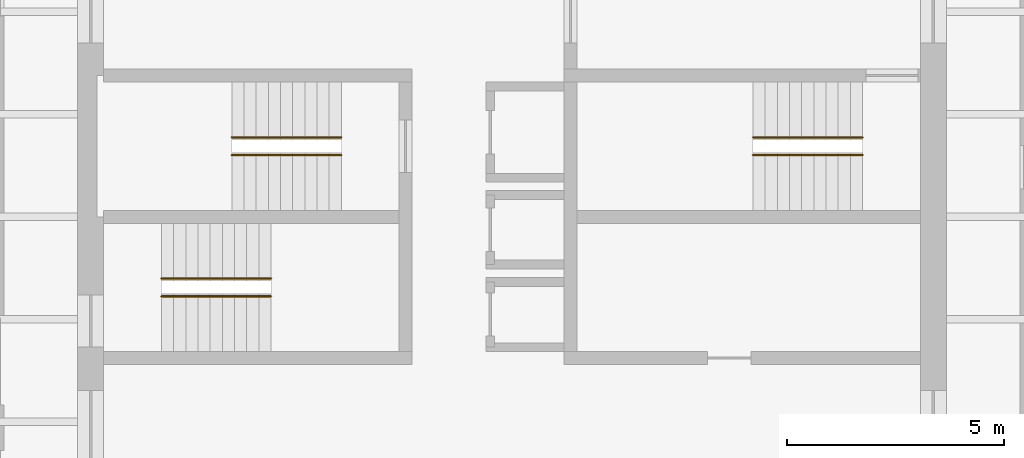
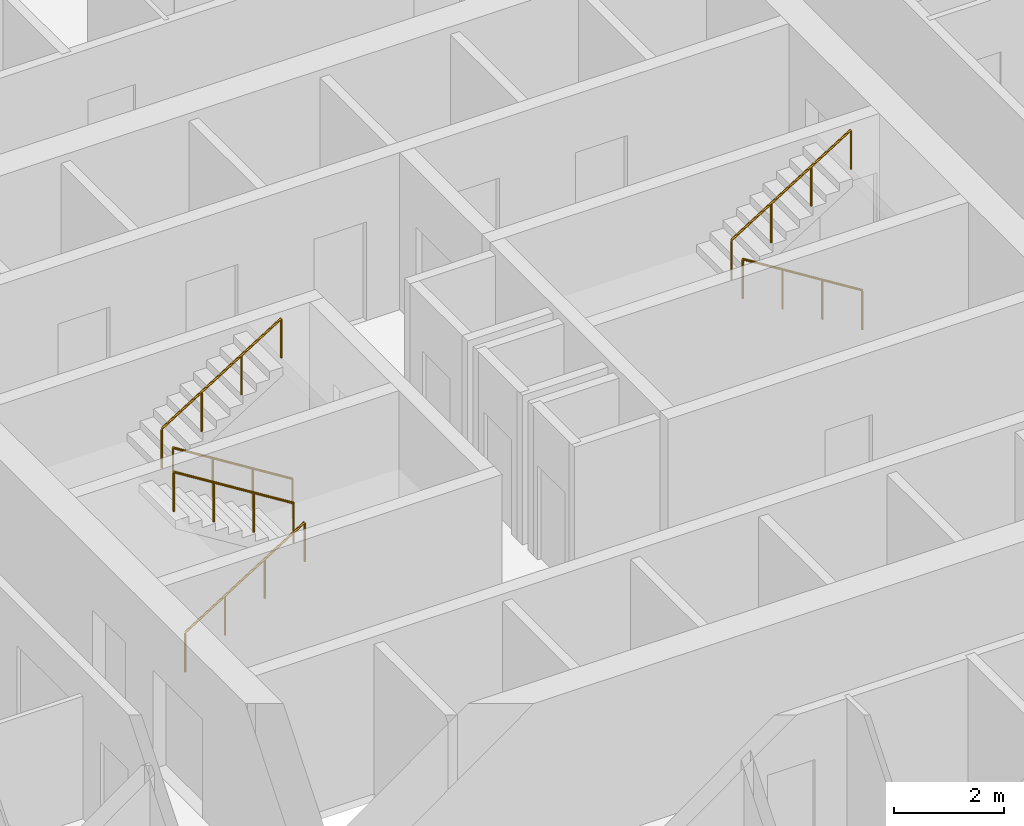
# One storey, part 9 of 9: 6 railings.
"""IFC4 building model written with IfcOpenShell, lengths in metres."""

from ifc_helpers import new_model, si_unit, direction, frame, origin, origin_2d, place, context, subcontext, project, spatial, circle, extrude, material, type_object, element, save


model = new_model("IFC4")

# Units and contexts
model_context = context("Model", 3, precision=1e-05, world=origin(), true_north=direction((0.0, 1.0)))
body_context = subcontext(model_context, "Body", "Model", "MODEL_VIEW")
ifc_project = project(units=[si_unit("LENGTHUNIT", "METRE"), si_unit("AREAUNIT", "SQUARE_METRE"), si_unit("VOLUMEUNIT", "CUBIC_METRE"), si_unit("PLANEANGLEUNIT", "RADIAN"), si_unit("MASSUNIT", "GRAM", prefix="KILO")], contexts=[model_context])

# Site, building, storey
site_placement = place(None, origin())
site = spatial("IfcSite", under=ifc_project, at=site_placement, CompositionType="ELEMENT")
building_placement = place(site_placement, origin())
building = spatial("IfcBuilding", under=site, at=building_placement, Name="Turquesa Mirador Hotel Tower", CompositionType="ELEMENT")
storey_placement = place(building_placement, frame((0.0, 0.0, 100.39990234375)))
storey = spatial("IfcBuildingStorey", under=building, at=storey_placement, Name="L26", CompositionType="ELEMENT", Elevation=100.39990234375)

# Railings
ifc_material = material(Name="Painted steel handrail", Category="steel")
railing_type = type_object("IfcRailingType", Name="HANDRAIL 900 STEEL", PredefinedType="HANDRAIL", material=ifc_material)
railing_1_placement = place(storey_placement, frame((51.070068359375, 46.419921875, 0.175048828125)))
element("IfcRailing", 1, at=railing_1_placement, inside=storey, type_object=railing_type, Name="Handrail ST1", PredefinedType="HANDRAIL", context=body_context, shape_type="SweptSolid", body=[
    extrude(circle(Radius=0.02392578125, at=origin_2d()), frame((0.0, 0.0, 0.8759765625), z_axis=(-0.848007534815, 0.0, 0.529984170421), x_axis=(0.0, -1.0, 0.0)), (0.0, 0.0, 1.0), 2.9716796875),
    extrude(circle(Radius=0.02099609375, at=origin_2d()), origin(), (0.0, 0.0, 1.0), 0.851806640625),
    extrude(circle(Radius=0.02099609375, at=origin_2d()), frame((-0.840087890625, 0.0, 0.52490234375)), (0.0, 0.0, 1.0), 0.851806640625),
    extrude(circle(Radius=0.02099609375, at=origin_2d()), frame((-1.679931640625, 0.0, 1.050048828125)), (0.0, 0.0, 1.0), 0.851806640625),
    extrude(circle(Radius=0.02099609375, at=origin_2d()), frame((-2.52001953125, 0.0, 1.574951171875)), (0.0, 0.0, 1.0), 0.851806640625),
])
for number, where, name in (
    (2, (48.550048828125, 46.830078125, 1.925048828125), "Handrail ST1"),
    (3, (46.929931640625, 43.169921875, 0.175048828125), "Handrail ST2"),
):
    element("IfcRailing", number, at=place(storey_placement, frame(where)), inside=storey, type_object=railing_type, Name=name, PredefinedType="HANDRAIL", context=body_context, shape_type="SweptSolid", body=[
        extrude(circle(Radius=0.02392578125, at=origin_2d()), frame((0.0, 0.0, 0.8759765625), z_axis=(0.848007534815, 0.0, 0.529984170421), x_axis=(0.0, 1.0, 0.0)), (0.0, 0.0, 1.0), 2.9716796875),
        extrude(circle(Radius=0.02099609375, at=origin_2d()), origin(), (0.0, 0.0, 1.0), 0.851806640625),
        extrude(circle(Radius=0.02099609375, at=origin_2d()), frame((0.840087890625, 0.0, 0.52490234375)), (0.0, 0.0, 1.0), 0.851806640625),
        extrude(circle(Radius=0.02099609375, at=origin_2d()), frame((1.679931640625, 0.0, 1.050048828125)), (0.0, 0.0, 1.0), 0.851806640625),
        extrude(circle(Radius=0.02099609375, at=origin_2d()), frame((2.52001953125, 0.0, 1.574951171875)), (0.0, 0.0, 1.0), 0.851806640625),
    ])
for number, where, name in (
    (4, (49.449951171875, 43.580078125, 1.925048828125), "Handrail ST2"),
    (5, (63.070068359375, 46.419921875, 0.175048828125), "Handrail ST3"),
):
    element("IfcRailing", number, at=place(storey_placement, frame(where)), inside=storey, type_object=railing_type, Name=name, PredefinedType="HANDRAIL", context=body_context, shape_type="SweptSolid", body=[
        extrude(circle(Radius=0.02392578125, at=origin_2d()), frame((0.0, 0.0, 0.8759765625), z_axis=(-0.848007534815, 0.0, 0.529984170421), x_axis=(0.0, -1.0, 0.0)), (0.0, 0.0, 1.0), 2.9716796875),
        extrude(circle(Radius=0.02099609375, at=origin_2d()), origin(), (0.0, 0.0, 1.0), 0.851806640625),
        extrude(circle(Radius=0.02099609375, at=origin_2d()), frame((-0.840087890625, 0.0, 0.52490234375)), (0.0, 0.0, 1.0), 0.851806640625),
        extrude(circle(Radius=0.02099609375, at=origin_2d()), frame((-1.679931640625, 0.0, 1.050048828125)), (0.0, 0.0, 1.0), 0.851806640625),
        extrude(circle(Radius=0.02099609375, at=origin_2d()), frame((-2.52001953125, 0.0, 1.574951171875)), (0.0, 0.0, 1.0), 0.851806640625),
    ])
railing_2_placement = place(storey_placement, frame((60.550048828125, 46.830078125, 1.925048828125)))
element("IfcRailing", 6, at=railing_2_placement, inside=storey, type_object=railing_type, Name="Handrail ST3", PredefinedType="HANDRAIL", context=body_context, shape_type="SweptSolid", body=[
    extrude(circle(Radius=0.02392578125, at=origin_2d()), frame((0.0, 0.0, 0.8759765625), z_axis=(0.848007534815, 0.0, 0.529984170421), x_axis=(0.0, 1.0, 0.0)), (0.0, 0.0, 1.0), 2.9716796875),
    extrude(circle(Radius=0.02099609375, at=origin_2d()), origin(), (0.0, 0.0, 1.0), 0.851806640625),
    extrude(circle(Radius=0.02099609375, at=origin_2d()), frame((0.840087890625, 0.0, 0.52490234375)), (0.0, 0.0, 1.0), 0.851806640625),
    extrude(circle(Radius=0.02099609375, at=origin_2d()), frame((1.679931640625, 0.0, 1.050048828125)), (0.0, 0.0, 1.0), 0.851806640625),
    extrude(circle(Radius=0.02099609375, at=origin_2d()), frame((2.52001953125, 0.0, 1.574951171875)), (0.0, 0.0, 1.0), 0.851806640625),
])

save(model, "model.ifc")
